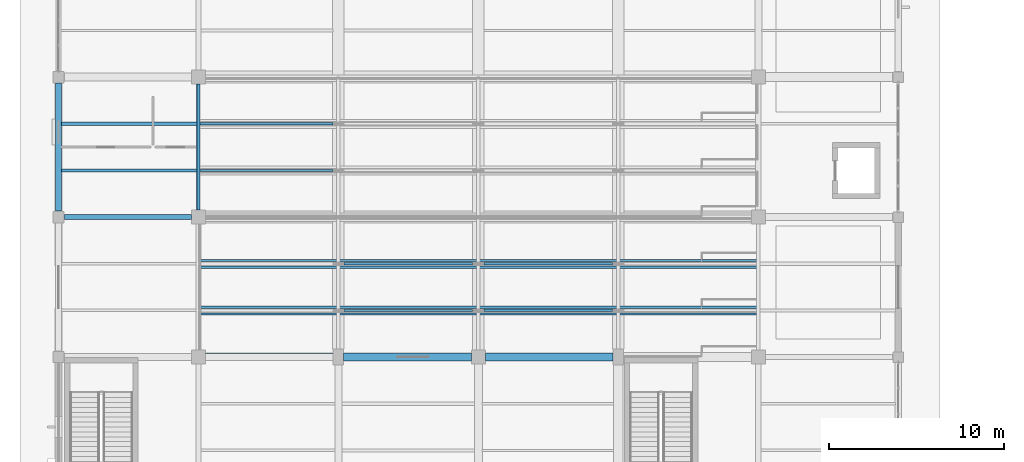
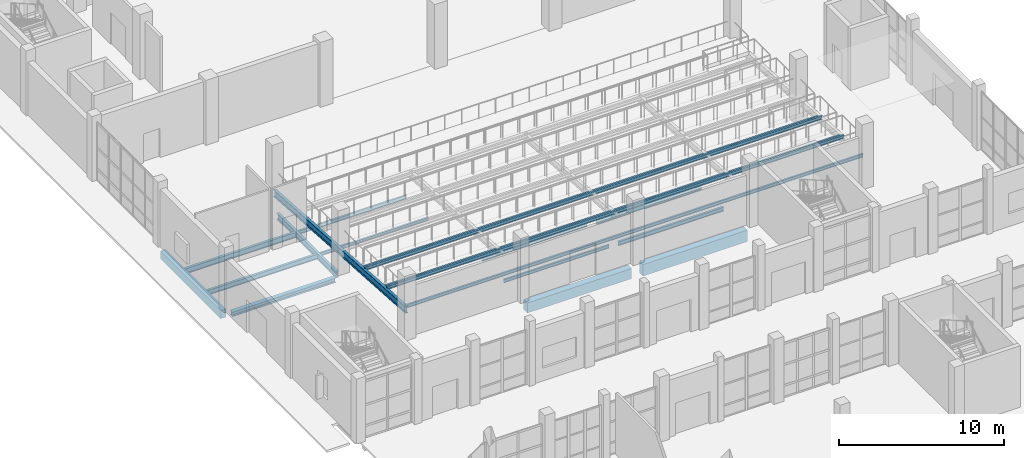
# One storey, part 32 of 156: 19 beams.
"""IFC4 building model written with IfcOpenShell, lengths in metres."""

from ifc_helpers import new_model, si_unit, direction, frame, origin, origin_2d, place, context, subcontext, project, spatial, rectangle, i_section, extrude, material, material_profile, profile_set, type_object, element, save


model = new_model("IFC4")

# Units and contexts
model_context = context("Model", 3, precision=1e-05, world=origin(), true_north=direction((0.0, 1.0)))
body_context = subcontext(model_context, "Body", "Model", "MODEL_VIEW")
ifc_project = project(units=[si_unit("LENGTHUNIT", "METRE"), si_unit("AREAUNIT", "SQUARE_METRE"), si_unit("VOLUMEUNIT", "CUBIC_METRE"), si_unit("PLANEANGLEUNIT", "RADIAN"), si_unit("MASSUNIT", "GRAM", prefix="KILO")], contexts=[model_context])

# Site, building, storey
site_placement = place(None, origin())
site = spatial("IfcSite", under=ifc_project, at=site_placement, CompositionType="ELEMENT")
building_placement = place(site_placement, origin())
building = spatial("IfcBuilding", under=site, at=building_placement, Name="Luwemba Playhouse", CompositionType="ELEMENT")
storey_placement = place(building_placement, origin())
storey = spatial("IfcBuildingStorey", under=building, at=storey_placement, Name="L00", CompositionType="ELEMENT", Elevation=0.0)

# Beams
ifc_material_1 = material(Name="Concrete C40/50", Category="concrete")
ifc_material_profile_1 = material_profile(ifc_material_1, rectangle(XDim=0.449951171875, YDim=0.75, at=origin_2d()))
ifc_profile_set_1 = profile_set([ifc_material_profile_1], Name="Concrete C40/50")
beam_type_1 = type_object("IfcBeamType", Name="BM-RB04", PredefinedType="BEAM", material=ifc_profile_set_1)
beam_1_placement = place(storey_placement, frame((20.300048828125, 44.0, -0.675048828125), z_axis=(1.0, 0.0, 0.0), x_axis=(0.0, 1.0, 0.0)))
element("IfcBeam", 1, at=beam_1_placement, inside=storey, type_object=beam_type_1, Name="L00 grid girder 0009", PredefinedType="BEAM", context=body_context, shape_type="SweptSolid", body=[
    extrude(rectangle(XDim=0.449951171875, YDim=0.75, at=origin_2d()), origin(), (0.0, 0.0, 1.0), 7.300048828125),
])
ifc_material_profile_2 = material_profile(ifc_material_1, rectangle(XDim=0.449951171875, YDim=0.85009765625, at=origin_2d()))
ifc_profile_set_2 = profile_set([ifc_material_profile_2], Name="Concrete C40/50")
beam_type_2 = type_object("IfcBeamType", Name="BM-RB05", PredefinedType="BEAM", material=ifc_profile_set_2)
beam_2_placement = place(storey_placement, frame((28.39990234375, 44.0, -0.72509765625), z_axis=(1.0, 0.0, 0.0), x_axis=(0.0, 1.0, 0.0)))
element("IfcBeam", 2, at=beam_2_placement, inside=storey, type_object=beam_type_2, Name="L00 grid girder 0010", PredefinedType="BEAM", context=body_context, shape_type="SweptSolid", body=[
    extrude(rectangle(XDim=0.449951171875, YDim=0.85009765625, at=origin_2d()), origin(), (0.0, 0.0, 1.0), 7.300048828125),
])
ifc_material_2 = material(Name="Steel S355", Category="steel")
ifc_material_profile_3 = material_profile(ifc_material_2, i_section(OverallWidth=0.199951171875, OverallDepth=0.5, WebThickness=0.01025390625, FlangeThickness=0.01611328125, FilletRadius=0.02099609375, at=origin_2d()))
ifc_profile_set_3 = profile_set([ifc_material_profile_3], Name="Steel S355")
beam_type_3 = type_object("IfcBeamType", Name="BM-RK1", PredefinedType="USERDEFINED", material=ifc_profile_set_3)
beam_3_placement = place(storey_placement, frame((12.0, 44.0, 1.97998046875), z_axis=(0.0, 0.997887107976, -0.064971684108), x_axis=(-1.0, 0.0, 0.0)))
element("IfcBeam", 3, at=beam_3_placement, inside=storey, type_object=beam_type_3, Name="RAKER girder Stalls 01", ObjectType="RAKER", PredefinedType="USERDEFINED", context=body_context, shape_type="SweptSolid", body=[
    extrude(i_section(OverallWidth=0.199951171875, OverallDepth=0.5, WebThickness=0.01025390625, FlangeThickness=0.01611328125, FilletRadius=0.02099609375, at=origin_2d()), origin(), (0.0, 0.0, 1.0), 16.033935546875),
])
ifc_material_profile_4 = material_profile(ifc_material_2, i_section(OverallWidth=0.300048828125, OverallDepth=0.330078125, WebThickness=0.009521484375, FlangeThickness=0.0166015625, FilletRadius=0.027099609375, at=origin_2d()))
ifc_profile_set_4 = profile_set([ifc_material_profile_4], Name="Steel S355")
beam_type_4 = type_object("IfcBeamType", Name="BM-SB04", PredefinedType="BEAM", material=ifc_profile_set_4)
beam_4_placement = place(storey_placement, frame((4.35009765625, 52.0, -0.465087890625), z_axis=(1.0, 0.0, 0.0), x_axis=(0.0, 1.0, 0.0)))
element("IfcBeam", 4, at=beam_4_placement, inside=storey, type_object=beam_type_4, Name="L00 grid girder 0013", PredefinedType="BEAM", context=body_context, shape_type="SweptSolid", body=[
    extrude(i_section(OverallWidth=0.300048828125, OverallDepth=0.330078125, WebThickness=0.009521484375, FlangeThickness=0.0166015625, FilletRadius=0.027099609375, at=origin_2d()), origin(), (0.0, 0.0, 1.0), 7.25),
])
ifc_material_profile_5 = material_profile(ifc_material_2, i_section(OverallWidth=0.18994140625, OverallDepth=0.449951171875, WebThickness=0.009521484375, FlangeThickness=0.0146484375, FilletRadius=0.02099609375, at=origin_2d()))
ifc_profile_set_5 = profile_set([ifc_material_profile_5], Name="Steel S355")
beam_type_5 = type_object("IfcBeamType", Name="BM-SB06", PredefinedType="BEAM", material=ifc_profile_set_5)
beam_5_placement = place(storey_placement, frame((12.0, 52.39990234375, -0.52490234375), z_axis=(0.0, 1.0, 0.0), x_axis=(-1.0, 0.0, 0.0)))
element("IfcBeam", 5, at=beam_5_placement, inside=storey, type_object=beam_type_5, Name="L00 transverse girder 0025", PredefinedType="BEAM", context=body_context, shape_type="SweptSolid", body=[
    extrude(i_section(OverallWidth=0.18994140625, OverallDepth=0.449951171875, WebThickness=0.009521484375, FlangeThickness=0.0146484375, FilletRadius=0.02099609375, at=origin_2d()), origin(), (0.0, 0.0, 1.0), 7.2001953125),
])
ifc_material_profile_6 = material_profile(ifc_material_2, i_section(OverallWidth=0.1201171875, OverallDepth=0.239990234375, WebThickness=0.006103515625, FlangeThickness=0.009765625, FilletRadius=0.014892578125, at=origin_2d()))
ifc_profile_set_6 = profile_set([ifc_material_profile_6], Name="Steel S355")
beam_type_6 = type_object("IfcBeamType", Name="BM-SJ03", PredefinedType="JOIST", material=ifc_profile_set_6)
for number, where, z_axis, x_axis, name in (
    (6, (12.0, 44.179931640625, 2.10498046875), (1.0, 0.0, 0.0), (0.0, 1.0, 0.0), "Stand Stalls step bearer 01-1"),
    (7, (12.0, 46.466796875, 2.10498046875), (1.0, 0.0, 0.0), (0.0, 1.0, 0.0), "Stand Stalls step bearer 01-2"),
    (8, (12.0, 46.8466796875, 1.896728515625), (1.0, 0.0, 0.0), (0.0, 1.0, 0.0), "Stand Stalls step bearer 02-1"),
    (9, (12.0, 49.13330078125, 1.896728515625), (1.0, 0.0, 0.0), (0.0, 1.0, 0.0), "Stand Stalls step bearer 02-2"),
    (10, (12.0, 49.51318359375, 1.688232421875), (1.0, 0.0, 0.0), (0.0, 1.0, 0.0), "Stand Stalls step bearer 03-1"),
):
    element("IfcBeam", number, at=place(storey_placement, frame(where, z_axis=z_axis, x_axis=x_axis)), inside=storey, type_object=beam_type_6, Name=name, PredefinedType="JOIST", context=body_context, shape_type="SweptSolid", body=[
        extrude(i_section(OverallWidth=0.1201171875, OverallDepth=0.239990234375, WebThickness=0.006103515625, FlangeThickness=0.009765625, FilletRadius=0.014892578125, at=origin_2d()), origin(), (0.0, 0.0, 1.0), 32.0),
    ])
beam_6_placement = place(storey_placement, frame((12.091064453125, 54.666748046875, -0.419921875), z_axis=(1.0, 0.0, 0.0), x_axis=(0.0, 1.0, 0.0)))
element("IfcBeam", 11, at=beam_6_placement, inside=storey, type_object=beam_type_6, Name="L00 composite floor joist 0011", PredefinedType="JOIST", context=body_context, shape_type="SweptSolid", body=[
    extrude(i_section(OverallWidth=0.1201171875, OverallDepth=0.239990234375, WebThickness=0.006103515625, FlangeThickness=0.009765625, FilletRadius=0.014892578125, at=origin_2d()), origin(), (0.0, 0.0, 1.0), 7.587890625),
])
beam_7_placement = place(storey_placement, frame((20.321044921875, 46.666748046875, -0.419921875), z_axis=(1.0, 0.0, 0.0), x_axis=(0.0, 1.0, 0.0)))
element("IfcBeam", 12, at=beam_7_placement, inside=storey, type_object=beam_type_6, Name="L00 composite floor joist 0017", PredefinedType="JOIST", context=body_context, shape_type="SweptSolid", body=[
    extrude(i_section(OverallWidth=0.1201171875, OverallDepth=0.239990234375, WebThickness=0.006103515625, FlangeThickness=0.009765625, FilletRadius=0.014892578125, at=origin_2d()), origin(), (0.0, 0.0, 1.0), 7.35791015625),
])
ifc_material_profile_7 = material_profile(ifc_material_2, i_section(OverallWidth=0.135009765625, OverallDepth=0.27001953125, WebThickness=0.006591796875, FlangeThickness=0.01025390625, FilletRadius=0.014892578125, at=origin_2d()))
ifc_profile_set_7 = profile_set([ifc_material_profile_7], Name="Steel S355")
beam_type_7 = type_object("IfcBeamType", Name="BM-SJ04", PredefinedType="JOIST", material=ifc_profile_set_7)
beam_8_placement = place(storey_placement, frame((12.091064453125, 57.333251953125, -0.43505859375), z_axis=(1.0, 0.0, 0.0), x_axis=(0.0, 1.0, 0.0)))
element("IfcBeam", 13, at=beam_8_placement, inside=storey, type_object=beam_type_7, Name="L00 composite floor joist 0012", PredefinedType="JOIST", context=body_context, shape_type="SweptSolid", body=[
    extrude(i_section(OverallWidth=0.135009765625, OverallDepth=0.27001953125, WebThickness=0.006591796875, FlangeThickness=0.01025390625, FilletRadius=0.014892578125, at=origin_2d()), origin(), (0.0, 0.0, 1.0), 7.587890625),
])
beam_9_placement = place(storey_placement, frame((20.321044921875, 49.333251953125, -0.43505859375), z_axis=(1.0, 0.0, 0.0), x_axis=(0.0, 1.0, 0.0)))
element("IfcBeam", 14, at=beam_9_placement, inside=storey, type_object=beam_type_7, Name="L00 composite floor joist 0018", PredefinedType="JOIST", context=body_context, shape_type="SweptSolid", body=[
    extrude(i_section(OverallWidth=0.135009765625, OverallDepth=0.27001953125, WebThickness=0.006591796875, FlangeThickness=0.01025390625, FilletRadius=0.014892578125, at=origin_2d()), origin(), (0.0, 0.0, 1.0), 7.35791015625),
])
ifc_material_profile_8 = material_profile(ifc_material_2, i_section(OverallWidth=0.14990234375, OverallDepth=0.300048828125, WebThickness=0.007080078125, FlangeThickness=0.0107421875, FilletRadius=0.014892578125, at=origin_2d()))
ifc_profile_set_8 = profile_set([ifc_material_profile_8], Name="Steel S355")
beam_type_8 = type_object("IfcBeamType", Name="BM-SJ05", PredefinedType="JOIST", material=ifc_profile_set_8)
beam_10_placement = place(storey_placement, frame((28.321044921875, 46.666748046875, -0.449951171875), z_axis=(1.0, 0.0, 0.0), x_axis=(0.0, 1.0, 0.0)))
element("IfcBeam", 15, at=beam_10_placement, inside=storey, type_object=beam_type_8, Name="L00 composite floor joist 0025", PredefinedType="JOIST", context=body_context, shape_type="SweptSolid", body=[
    extrude(i_section(OverallWidth=0.14990234375, OverallDepth=0.300048828125, WebThickness=0.007080078125, FlangeThickness=0.0107421875, FilletRadius=0.014892578125, at=origin_2d()), origin(), (0.0, 0.0, 1.0), 7.35791015625),
])
ifc_material_profile_9 = material_profile(ifc_material_2, i_section(OverallWidth=0.159912109375, OverallDepth=0.330078125, WebThickness=0.007568359375, FlangeThickness=0.011474609375, FilletRadius=0.01806640625, at=origin_2d()))
ifc_profile_set_9 = profile_set([ifc_material_profile_9], Name="Steel S355")
beam_type_9 = type_object("IfcBeamType", Name="BM-SJ06", PredefinedType="JOIST", material=ifc_profile_set_9)
beam_11_placement = place(storey_placement, frame((28.321044921875, 49.333251953125, -0.465087890625), z_axis=(1.0, 0.0, 0.0), x_axis=(0.0, 1.0, 0.0)))
element("IfcBeam", 16, at=beam_11_placement, inside=storey, type_object=beam_type_9, Name="L00 composite floor joist 0026", PredefinedType="JOIST", context=body_context, shape_type="SweptSolid", body=[
    extrude(i_section(OverallWidth=0.159912109375, OverallDepth=0.330078125, WebThickness=0.007568359375, FlangeThickness=0.011474609375, FilletRadius=0.01806640625, at=origin_2d()), origin(), (0.0, 0.0, 1.0), 7.35791015625),
])
ifc_material_profile_10 = material_profile(ifc_material_2, i_section(OverallWidth=0.169921875, OverallDepth=0.360107421875, WebThickness=0.008056640625, FlangeThickness=0.0126953125, FilletRadius=0.01806640625, at=origin_2d()))
ifc_profile_set_10 = profile_set([ifc_material_profile_10], Name="Steel S355")
beam_type_10 = type_object("IfcBeamType", Name="BM-SJ07", PredefinedType="JOIST", material=ifc_profile_set_10)
beam_12_placement = place(storey_placement, frame((4.1708984375, 54.666748046875, -0.47998046875), z_axis=(1.0, 0.0, 0.0), x_axis=(0.0, 1.0, 0.0)))
element("IfcBeam", 17, at=beam_12_placement, inside=storey, type_object=beam_type_10, Name="L00 composite floor joist 0003", PredefinedType="JOIST", context=body_context, shape_type="SweptSolid", body=[
    extrude(i_section(OverallWidth=0.169921875, OverallDepth=0.360107421875, WebThickness=0.008056640625, FlangeThickness=0.0126953125, FilletRadius=0.01806640625, at=origin_2d()), origin(), (0.0, 0.0, 1.0), 7.738037109375),
])
ifc_material_profile_11 = material_profile(ifc_material_2, i_section(OverallWidth=0.179931640625, OverallDepth=0.39990234375, WebThickness=0.008544921875, FlangeThickness=0.013427734375, FilletRadius=0.02099609375, at=origin_2d()))
ifc_profile_set_11 = profile_set([ifc_material_profile_11], Name="Steel S355")
beam_type_11 = type_object("IfcBeamType", Name="BM-SJ08", PredefinedType="JOIST", material=ifc_profile_set_11)
beam_13_placement = place(storey_placement, frame((4.1708984375, 57.333251953125, -0.5), z_axis=(1.0, 0.0, 0.0), x_axis=(0.0, 1.0, 0.0)))
element("IfcBeam", 18, at=beam_13_placement, inside=storey, type_object=beam_type_11, Name="L00 composite floor joist 0004", PredefinedType="JOIST", context=body_context, shape_type="SweptSolid", body=[
    extrude(i_section(OverallWidth=0.179931640625, OverallDepth=0.39990234375, WebThickness=0.008544921875, FlangeThickness=0.013427734375, FilletRadius=0.02099609375, at=origin_2d()), origin(), (0.0, 0.0, 1.0), 7.738037109375),
])
ifc_material_profile_12 = material_profile(ifc_material_1, rectangle(XDim=0.35009765625, YDim=0.60009765625, at=origin_2d()))
ifc_profile_set_12 = profile_set([ifc_material_profile_12], Name="Concrete C40/50")
beam_type_12 = type_object("IfcBeamType", Name="BM-SP3", PredefinedType="SPANDREL", material=ifc_profile_set_12)
beam_14_placement = place(storey_placement, frame((4.0, 52.35009765625, -0.60009765625), z_axis=(0.0, 1.0, 0.0), x_axis=(-1.0, 0.0, 0.0)))
element("IfcBeam", 19, at=beam_14_placement, inside=storey, type_object=beam_type_12, Name="L00 transverse girder 0021", PredefinedType="SPANDREL", context=body_context, shape_type="SweptSolid", body=[
    extrude(rectangle(XDim=0.35009765625, YDim=0.60009765625, at=origin_2d()), origin(), (0.0, 0.0, 1.0), 7.2998046875),
])

save(model, "model.ifc")
